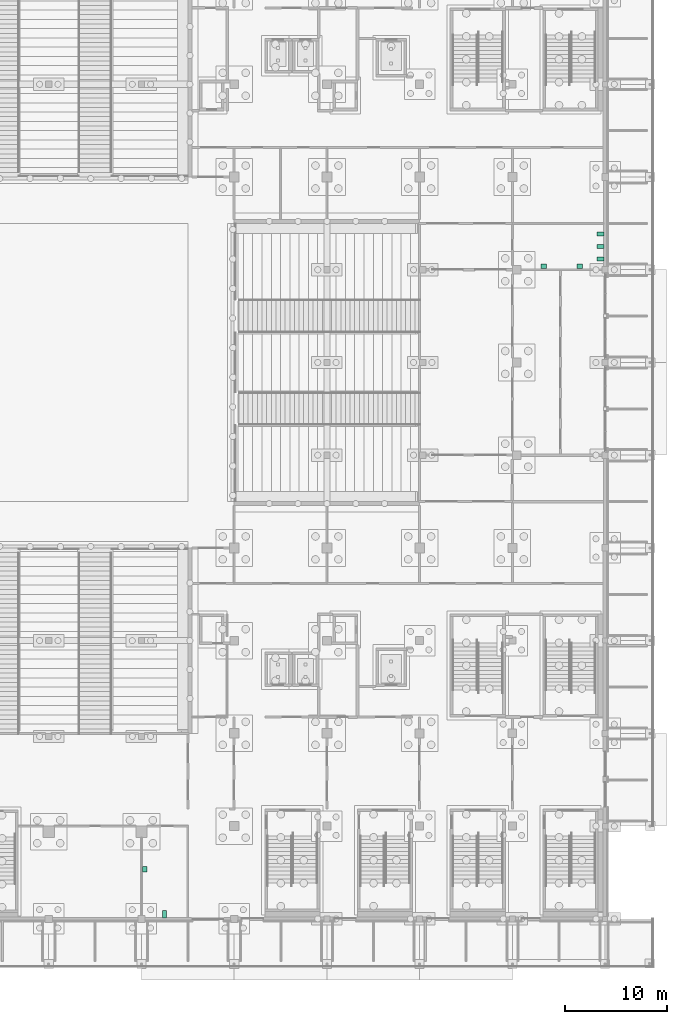
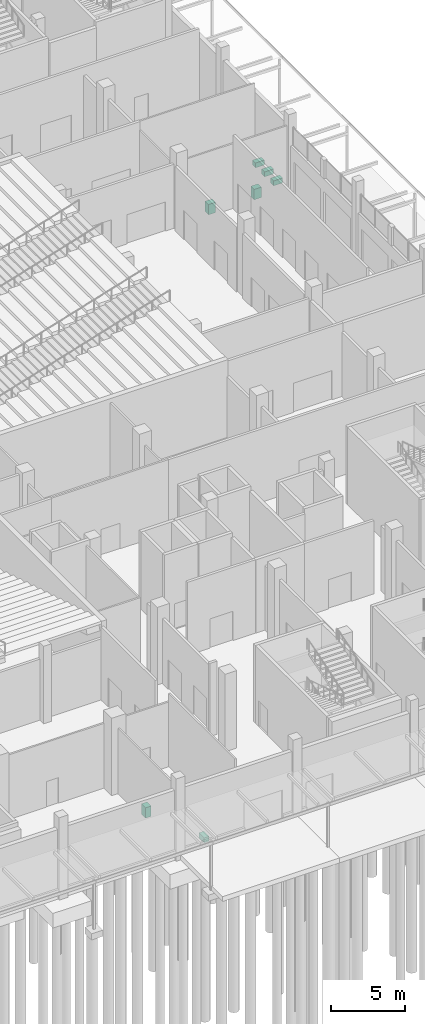
# One storey, part 128 of 129: 7 sanitary terminals.
"""IFC4 building model written with IfcOpenShell, lengths in metres."""

from ifc_helpers import new_model, si_unit, direction, frame, origin, origin_2d, place, context, subcontext, project, spatial, rectangle, extrude, element, save


model = new_model("IFC4")

# Units and contexts
model_context = context("Model", 3, precision=1e-05, world=origin(), true_north=direction((0.0, 1.0)))
body_context = subcontext(model_context, "Body", "Model", "MODEL_VIEW")
ifc_project = project(units=[si_unit("LENGTHUNIT", "METRE"), si_unit("AREAUNIT", "SQUARE_METRE"), si_unit("VOLUMEUNIT", "CUBIC_METRE"), si_unit("PLANEANGLEUNIT", "RADIAN"), si_unit("MASSUNIT", "GRAM", prefix="KILO")], contexts=[model_context])

# Site, building, storey
site_placement = place(None, origin())
site = spatial("IfcSite", under=ifc_project, at=site_placement, CompositionType="ELEMENT")
building_placement = place(site_placement, origin())
building = spatial("IfcBuilding", under=site, at=building_placement, Name="Shirokan Park Arena", CompositionType="ELEMENT")
storey_placement = place(building_placement, origin())
storey = spatial("IfcBuildingStorey", under=building, at=storey_placement, Name="L00", CompositionType="ELEMENT", Elevation=0.0)

# Sanitary terminals
for number, where, z_axis, x_axis, name in (
    (1, (145.14990234375, 64.75830078125, 0.0), (0.0, 0.0, 1.0), (1.0, 0.0, 0.0), "Water closet Staff WC 0.22"),
    (2, (145.14990234375, 65.97509765625, 0.0), (0.0, 0.0, 1.0), (1.0, 0.0, 0.0), "Water closet Staff WC 0.22"),
    (3, (145.14990234375, 67.191650390625, 0.0), (0.0, 0.0, 1.0), (1.0, 0.0, 0.0), "Water closet Staff WC 0.22"),
):
    element("IfcSanitaryTerminal", number, at=place(storey_placement, frame(where, z_axis=z_axis, x_axis=x_axis)), inside=storey, Name=name, PredefinedType="TOILETPAN", context=body_context, shape_type="SweptSolid", body=[
        extrude(rectangle(XDim=0.699951171875, YDim=0.39990234375, at=origin_2d()), origin(), (0.0, 0.0, 1.0), 0.39990234375),
    ])
for number, where, z_axis, x_axis, name in (
    (4, (139.574951171875, 64.02490234375, 0.0), (0.0, 0.0, 1.0), (1.0, 0.0, 0.0), "Washbasin Staff WC 0.22"),
    (5, (143.125, 64.02490234375, 0.0), (0.0, 0.0, 1.0), (1.0, 0.0, 0.0), "Washbasin Staff WC 0.22"),
):
    element("IfcSanitaryTerminal", number, at=place(storey_placement, frame(where, z_axis=z_axis, x_axis=x_axis)), inside=storey, Name=name, PredefinedType="WASHHANDBASIN", context=body_context, shape_type="SweptSolid", body=[
        extrude(rectangle(XDim=0.550048828125, YDim=0.449951171875, at=origin_2d()), origin(), (0.0, 0.0, 1.0), 0.85009765625),
    ])
sanitary_terminal_1_placement = place(storey_placement, frame((102.375, 0.449951171875, 0.0), z_axis=(0.0, 0.0, 1.0), x_axis=(1.0, 0.0, 0.0)))
element("IfcSanitaryTerminal", 6, at=sanitary_terminal_1_placement, inside=storey, Name="Water closet Accessible WC 0.13", PredefinedType="TOILETPAN", context=body_context, shape_type="SweptSolid", body=[
    extrude(rectangle(XDim=0.39990234375, YDim=0.699951171875, at=origin_2d()), origin(), (0.0, 0.0, 1.0), 0.39990234375),
])
sanitary_terminal_2_placement = place(storey_placement, frame((100.425048828125, 4.85009765625, 0.0), z_axis=(0.0, 0.0, 1.0), x_axis=(1.0, 0.0, 0.0)))
element("IfcSanitaryTerminal", 7, at=sanitary_terminal_2_placement, inside=storey, Name="Washbasin Accessible WC 0.13", PredefinedType="WASHHANDBASIN", context=body_context, shape_type="SweptSolid", body=[
    extrude(rectangle(XDim=0.449951171875, YDim=0.550048828125, at=origin_2d()), origin(), (0.0, 0.0, 1.0), 0.85009765625),
])

save(model, "model.ifc")
